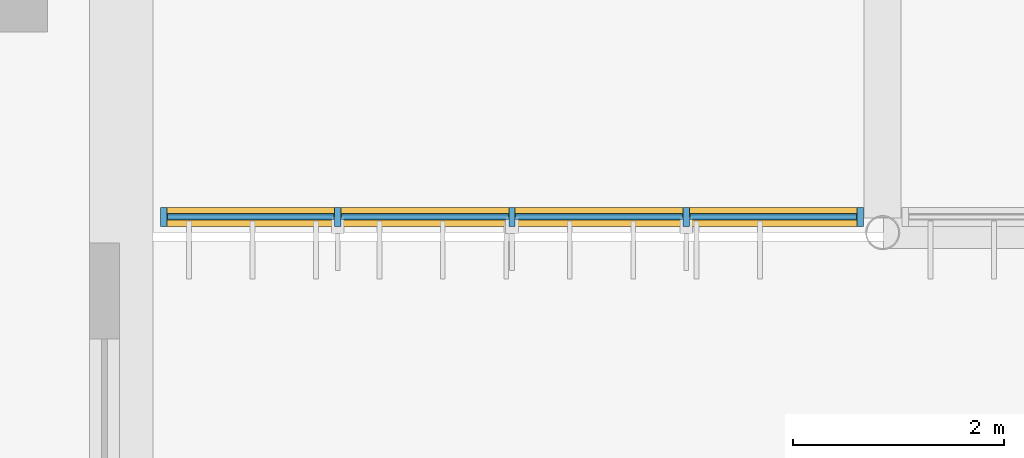
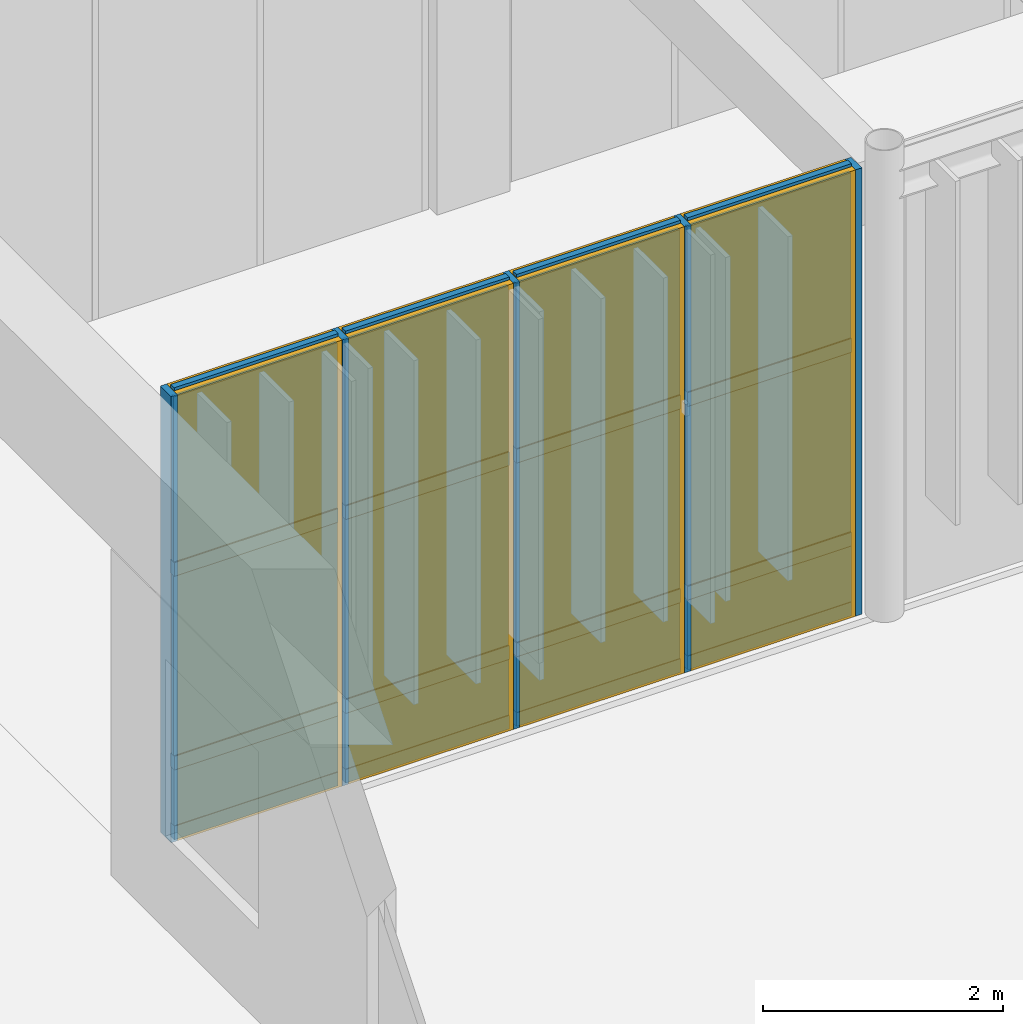
# One storey, part 86 of 122: 21 members, 12 plates, 1 curtain wall.
"""IFC4 building model written with IfcOpenShell, lengths in metres."""

from ifc_helpers import new_model, si_unit, direction, frame, frame_2d, origin, origin_2d, place, context, subcontext, project, spatial, rectangle, extrude, material, layer, layer_set, material_profile, profile_set, type_object, element, aggregate, save


model = new_model("IFC4")

# Units and contexts
model_context = context("Model", 3, precision=1e-05, world=origin(), true_north=direction((0.0, 1.0)))
body_context = subcontext(model_context, "Body", "Model", "MODEL_VIEW")
ifc_project = project(units=[si_unit("LENGTHUNIT", "METRE"), si_unit("AREAUNIT", "SQUARE_METRE"), si_unit("VOLUMEUNIT", "CUBIC_METRE"), si_unit("PLANEANGLEUNIT", "RADIAN"), si_unit("MASSUNIT", "GRAM", prefix="KILO")], contexts=[model_context])

# Member
ifc_material_1 = material(Name="Anodised Bronze Aluminium 6063-T6", Category="aluminium")
ifc_material_profile_1 = material_profile(ifc_material_1, rectangle(XDim=0.06005859375, YDim=0.179931640625, at=origin_2d()), Name="ALU MULLION 60x180")
ifc_profile_set_1 = profile_set([ifc_material_profile_1], Name="Anodised Bronze Aluminium 6063-T6")
member_type_1 = type_object("IfcMemberType", Name="Curtain-Wall Primary Mullion 60x180", PredefinedType="MULLION", material=ifc_profile_set_1)
site_placement = place(None, origin())
building_placement = place(site_placement, origin())
storey_placement = place(building_placement, origin())
member_1_placement = place(storey_placement, frame((95.800048828125, 44.75, 0.0), z_axis=(0.0, 0.0, 1.0), x_axis=(1.0, 0.0, 0.0)))
member_1 = element("IfcMember", 1, at=member_1_placement, type_object=member_type_1, Name="Mullion CWM-01 CW-ELNK-S-L00-B1-M01", PredefinedType="MULLION", context=body_context, shape_type="SweptSolid", body=[
    extrude(rectangle(XDim=0.06005859375, YDim=0.179931640625, at=origin_2d()), origin(), (0.0, 0.0, 1.0), 4.5400390625),
])

member_2_placement = place(storey_placement, frame((97.447021484375, 44.75, 0.0), z_axis=(0.0, 0.0, 1.0), x_axis=(1.0, 0.0, 0.0)))
member_2 = element("IfcMember", 2, at=member_2_placement, type_object=member_type_1, Name="Mullion CWM-01 CW-ELNK-S-L00-B1-M02", PredefinedType="MULLION", context=body_context, shape_type="SweptSolid", body=[
    extrude(rectangle(XDim=0.06005859375, YDim=0.179931640625, at=origin_2d()), origin(), (0.0, 0.0, 1.0), 4.5400390625),
])

member_3_placement = place(storey_placement, frame((99.093994140625, 44.75, 0.0), z_axis=(0.0, 0.0, 1.0), x_axis=(1.0, 0.0, 0.0)))
member_3 = element("IfcMember", 3, at=member_3_placement, type_object=member_type_1, Name="Mullion CWM-01 CW-ELNK-S-L00-B1-M03", PredefinedType="MULLION", context=body_context, shape_type="SweptSolid", body=[
    extrude(rectangle(XDim=0.06005859375, YDim=0.179931640625, at=origin_2d()), origin(), (0.0, 0.0, 1.0), 4.5400390625),
])

member_4_placement = place(storey_placement, frame((100.740966796875, 44.75, 0.0), z_axis=(0.0, 0.0, 1.0), x_axis=(1.0, 0.0, 0.0)))
member_4 = element("IfcMember", 4, at=member_4_placement, type_object=member_type_1, Name="Mullion CWM-01 CW-ELNK-S-L00-B1-M04", PredefinedType="MULLION", context=body_context, shape_type="SweptSolid", body=[
    extrude(rectangle(XDim=0.06005859375, YDim=0.179931640625, at=origin_2d()), origin(), (0.0, 0.0, 1.0), 4.5400390625),
])

member_5_placement = place(storey_placement, frame((102.387939453125, 44.75, 0.0), z_axis=(0.0, 0.0, 1.0), x_axis=(1.0, 0.0, 0.0)))
member_5 = element("IfcMember", 5, at=member_5_placement, type_object=member_type_1, Name="Mullion CWM-01 CW-ELNK-S-L00-B1-M05", PredefinedType="MULLION", context=body_context, shape_type="SweptSolid", body=[
    extrude(rectangle(XDim=0.06005859375, YDim=0.179931640625, at=origin_2d()), origin(), (0.0, 0.0, 1.0), 4.5400390625),
])

ifc_material_profile_2 = material_profile(ifc_material_1, rectangle(XDim=0.06005859375, YDim=0.139892578125, at=origin_2d()), Name="ALU TRANSOM 60x140")
ifc_profile_set_2 = profile_set([ifc_material_profile_2], Name="Anodised Bronze Aluminium 6063-T6")
member_type_2 = type_object("IfcMemberType", Name="Curtain-Wall Transom 60x140", PredefinedType="USERDEFINED", material=ifc_profile_set_2)
member_6_placement = place(storey_placement, frame((95.8349609375, 44.75, 0.0400390625), z_axis=(1.0, 0.0, 0.0), x_axis=(0.0, 1.0, 0.0)))
member_6 = element("IfcMember", 6, at=member_6_placement, type_object=member_type_2, Name="Transom CWT-01 CW-ELNK-S-L00-B1-T01.1", ObjectType="TRANSOM", PredefinedType="USERDEFINED", context=body_context, shape_type="SweptSolid", body=[
    extrude(rectangle(XDim=0.06005859375, YDim=0.139892578125, at=origin_2d()), origin(), (0.0, 0.0, 1.0), 1.5771484375),
])

member_7_placement = place(storey_placement, frame((95.8349609375, 44.75, 0.75), z_axis=(1.0, 0.0, 0.0), x_axis=(0.0, 1.0, 0.0)))
member_7 = element("IfcMember", 7, at=member_7_placement, type_object=member_type_2, Name="Transom CWT-01 CW-ELNK-S-L00-B1-T01.2", ObjectType="TRANSOM", PredefinedType="USERDEFINED", context=body_context, shape_type="SweptSolid", body=[
    extrude(rectangle(XDim=0.06005859375, YDim=0.139892578125, at=origin_2d()), origin(), (0.0, 0.0, 1.0), 1.5771484375),
])

member_8_placement = place(storey_placement, frame((95.8349609375, 44.75, 2.720703125), z_axis=(1.0, 0.0, 0.0), x_axis=(0.0, 1.0, 0.0)))
member_8 = element("IfcMember", 8, at=member_8_placement, type_object=member_type_2, Name="Transom CWT-01 CW-ELNK-S-L00-B1-T01.3", ObjectType="TRANSOM", PredefinedType="USERDEFINED", context=body_context, shape_type="SweptSolid", body=[
    extrude(rectangle(XDim=0.06005859375, YDim=0.139892578125, at=origin_2d()), origin(), (0.0, 0.0, 1.0), 1.5771484375),
])

member_9_placement = place(storey_placement, frame((95.8349609375, 44.75, 4.5), z_axis=(1.0, 0.0, 0.0), x_axis=(0.0, 1.0, 0.0)))
member_9 = element("IfcMember", 9, at=member_9_placement, type_object=member_type_2, Name="Transom CWT-01 CW-ELNK-S-L00-B1-T01.4", ObjectType="TRANSOM", PredefinedType="USERDEFINED", context=body_context, shape_type="SweptSolid", body=[
    extrude(rectangle(XDim=0.06005859375, YDim=0.139892578125, at=origin_2d()), origin(), (0.0, 0.0, 1.0), 1.5771484375),
])

member_10_placement = place(storey_placement, frame((97.48193359375, 44.75, 0.0400390625), z_axis=(1.0, 0.0, 0.0), x_axis=(0.0, 1.0, 0.0)))
member_10 = element("IfcMember", 10, at=member_10_placement, type_object=member_type_2, Name="Transom CWT-01 CW-ELNK-S-L00-B1-T02.1", ObjectType="TRANSOM", PredefinedType="USERDEFINED", context=body_context, shape_type="SweptSolid", body=[
    extrude(rectangle(XDim=0.06005859375, YDim=0.139892578125, at=origin_2d()), origin(), (0.0, 0.0, 1.0), 1.5771484375),
])

member_11_placement = place(storey_placement, frame((97.48193359375, 44.75, 0.75), z_axis=(1.0, 0.0, 0.0), x_axis=(0.0, 1.0, 0.0)))
member_11 = element("IfcMember", 11, at=member_11_placement, type_object=member_type_2, Name="Transom CWT-01 CW-ELNK-S-L00-B1-T02.2", ObjectType="TRANSOM", PredefinedType="USERDEFINED", context=body_context, shape_type="SweptSolid", body=[
    extrude(rectangle(XDim=0.06005859375, YDim=0.139892578125, at=origin_2d()), origin(), (0.0, 0.0, 1.0), 1.5771484375),
])

member_12_placement = place(storey_placement, frame((97.48193359375, 44.75, 2.720703125), z_axis=(1.0, 0.0, 0.0), x_axis=(0.0, 1.0, 0.0)))
member_12 = element("IfcMember", 12, at=member_12_placement, type_object=member_type_2, Name="Transom CWT-01 CW-ELNK-S-L00-B1-T02.3", ObjectType="TRANSOM", PredefinedType="USERDEFINED", context=body_context, shape_type="SweptSolid", body=[
    extrude(rectangle(XDim=0.06005859375, YDim=0.139892578125, at=origin_2d()), origin(), (0.0, 0.0, 1.0), 1.5771484375),
])

member_13_placement = place(storey_placement, frame((97.48193359375, 44.75, 4.5), z_axis=(1.0, 0.0, 0.0), x_axis=(0.0, 1.0, 0.0)))
member_13 = element("IfcMember", 13, at=member_13_placement, type_object=member_type_2, Name="Transom CWT-01 CW-ELNK-S-L00-B1-T02.4", ObjectType="TRANSOM", PredefinedType="USERDEFINED", context=body_context, shape_type="SweptSolid", body=[
    extrude(rectangle(XDim=0.06005859375, YDim=0.139892578125, at=origin_2d()), origin(), (0.0, 0.0, 1.0), 1.5771484375),
])

member_14_placement = place(storey_placement, frame((99.12890625, 44.75, 0.0400390625), z_axis=(1.0, 0.0, 0.0), x_axis=(0.0, 1.0, 0.0)))
member_14 = element("IfcMember", 14, at=member_14_placement, type_object=member_type_2, Name="Transom CWT-01 CW-ELNK-S-L00-B1-T03.1", ObjectType="TRANSOM", PredefinedType="USERDEFINED", context=body_context, shape_type="SweptSolid", body=[
    extrude(rectangle(XDim=0.06005859375, YDim=0.139892578125, at=origin_2d()), origin(), (0.0, 0.0, 1.0), 1.5771484375),
])

member_15_placement = place(storey_placement, frame((99.12890625, 44.75, 0.75), z_axis=(1.0, 0.0, 0.0), x_axis=(0.0, 1.0, 0.0)))
member_15 = element("IfcMember", 15, at=member_15_placement, type_object=member_type_2, Name="Transom CWT-01 CW-ELNK-S-L00-B1-T03.2", ObjectType="TRANSOM", PredefinedType="USERDEFINED", context=body_context, shape_type="SweptSolid", body=[
    extrude(rectangle(XDim=0.06005859375, YDim=0.139892578125, at=origin_2d()), origin(), (0.0, 0.0, 1.0), 1.5771484375),
])

member_16_placement = place(storey_placement, frame((99.12890625, 44.75, 2.720703125), z_axis=(1.0, 0.0, 0.0), x_axis=(0.0, 1.0, 0.0)))
member_16 = element("IfcMember", 16, at=member_16_placement, type_object=member_type_2, Name="Transom CWT-01 CW-ELNK-S-L00-B1-T03.3", ObjectType="TRANSOM", PredefinedType="USERDEFINED", context=body_context, shape_type="SweptSolid", body=[
    extrude(rectangle(XDim=0.06005859375, YDim=0.139892578125, at=origin_2d()), origin(), (0.0, 0.0, 1.0), 1.5771484375),
])

member_17_placement = place(storey_placement, frame((99.12890625, 44.75, 4.5), z_axis=(1.0, 0.0, 0.0), x_axis=(0.0, 1.0, 0.0)))
member_17 = element("IfcMember", 17, at=member_17_placement, type_object=member_type_2, Name="Transom CWT-01 CW-ELNK-S-L00-B1-T03.4", ObjectType="TRANSOM", PredefinedType="USERDEFINED", context=body_context, shape_type="SweptSolid", body=[
    extrude(rectangle(XDim=0.06005859375, YDim=0.139892578125, at=origin_2d()), origin(), (0.0, 0.0, 1.0), 1.5771484375),
])

member_18_placement = place(storey_placement, frame((100.77587890625, 44.75, 0.0400390625), z_axis=(1.0, 0.0, 0.0), x_axis=(0.0, 1.0, 0.0)))
member_18 = element("IfcMember", 18, at=member_18_placement, type_object=member_type_2, Name="Transom CWT-01 CW-ELNK-S-L00-B1-T04.1", ObjectType="TRANSOM", PredefinedType="USERDEFINED", context=body_context, shape_type="SweptSolid", body=[
    extrude(rectangle(XDim=0.06005859375, YDim=0.139892578125, at=origin_2d()), origin(), (0.0, 0.0, 1.0), 1.5771484375),
])

member_19_placement = place(storey_placement, frame((100.77587890625, 44.75, 0.75), z_axis=(1.0, 0.0, 0.0), x_axis=(0.0, 1.0, 0.0)))
member_19 = element("IfcMember", 19, at=member_19_placement, type_object=member_type_2, Name="Transom CWT-01 CW-ELNK-S-L00-B1-T04.2", ObjectType="TRANSOM", PredefinedType="USERDEFINED", context=body_context, shape_type="SweptSolid", body=[
    extrude(rectangle(XDim=0.06005859375, YDim=0.139892578125, at=origin_2d()), origin(), (0.0, 0.0, 1.0), 1.5771484375),
])

member_20_placement = place(storey_placement, frame((100.77587890625, 44.75, 2.720703125), z_axis=(1.0, 0.0, 0.0), x_axis=(0.0, 1.0, 0.0)))
member_20 = element("IfcMember", 20, at=member_20_placement, type_object=member_type_2, Name="Transom CWT-01 CW-ELNK-S-L00-B1-T04.3", ObjectType="TRANSOM", PredefinedType="USERDEFINED", context=body_context, shape_type="SweptSolid", body=[
    extrude(rectangle(XDim=0.06005859375, YDim=0.139892578125, at=origin_2d()), origin(), (0.0, 0.0, 1.0), 1.5771484375),
])

member_21_placement = place(storey_placement, frame((100.77587890625, 44.75, 4.5), z_axis=(1.0, 0.0, 0.0), x_axis=(0.0, 1.0, 0.0)))
member_21 = element("IfcMember", 21, at=member_21_placement, type_object=member_type_2, Name="Transom CWT-01 CW-ELNK-S-L00-B1-T04.4", ObjectType="TRANSOM", PredefinedType="USERDEFINED", context=body_context, shape_type="SweptSolid", body=[
    extrude(rectangle(XDim=0.06005859375, YDim=0.139892578125, at=origin_2d()), origin(), (0.0, 0.0, 1.0), 1.5771484375),
])

# Plate
ifc_material_2 = material(Name="Insulated Bronze Aluminium Spandrel Panel", Category="aluminium")
ifc_layer_1 = layer(ifc_material_2, 0.050048828125, Name="Insulated Bronze Aluminium Spandrel Panel")
ifc_layer_set_1 = layer_set([ifc_layer_1], Name="Insulated Bronze Aluminium Spandrel Panel")
plate_type_1 = type_object("IfcPlateType", Name="Insulated Anodised Aluminium Spandrel Cassette 50", PredefinedType="CURTAIN_PANEL", material=ifc_layer_set_1)
plate_1_placement = place(storey_placement, frame((96.62353515625, 44.75, 0.070068359375), z_axis=(0.0, 0.0, 1.0), x_axis=(1.0, 0.0, 0.0)))
plate_1 = element("IfcPlate", 22, at=plate_1_placement, type_object=plate_type_1, Name="Curtain Panel CWP-03 CW-ELNK-S-L00-B1-P01.1", PredefinedType="CURTAIN_PANEL", context=body_context, shape_type="SweptSolid", body=[
    extrude(rectangle(XDim=1.576904296875, YDim=0.050048828125, at=origin_2d()), origin(), (0.0, 0.0, 1.0), 0.64990234375),
])

plate_2_placement = place(storey_placement, frame((98.2705078125, 44.75, 0.070068359375), z_axis=(0.0, 0.0, 1.0), x_axis=(1.0, 0.0, 0.0)))
plate_2 = element("IfcPlate", 23, at=plate_2_placement, type_object=plate_type_1, Name="Curtain Panel CWP-03 CW-ELNK-S-L00-B1-P02.1", PredefinedType="CURTAIN_PANEL", context=body_context, shape_type="SweptSolid", body=[
    extrude(rectangle(XDim=1.576904296875, YDim=0.050048828125, at=origin_2d()), origin(), (0.0, 0.0, 1.0), 0.64990234375),
])

plate_3_placement = place(storey_placement, frame((99.91748046875, 44.75, 0.070068359375), z_axis=(0.0, 0.0, 1.0), x_axis=(1.0, 0.0, 0.0)))
plate_3 = element("IfcPlate", 24, at=plate_3_placement, type_object=plate_type_1, Name="Curtain Panel CWP-03 CW-ELNK-S-L00-B1-P03.1", PredefinedType="CURTAIN_PANEL", context=body_context, shape_type="SweptSolid", body=[
    extrude(rectangle(XDim=1.576904296875, YDim=0.050048828125, at=origin_2d()), origin(), (0.0, 0.0, 1.0), 0.64990234375),
])

plate_4_placement = place(storey_placement, frame((101.564453125, 44.75, 0.070068359375), z_axis=(0.0, 0.0, 1.0), x_axis=(1.0, 0.0, 0.0)))
plate_4 = element("IfcPlate", 25, at=plate_4_placement, type_object=plate_type_1, Name="Curtain Panel CWP-03 CW-ELNK-S-L00-B1-P04.1", PredefinedType="CURTAIN_PANEL", context=body_context, shape_type="SweptSolid", body=[
    extrude(rectangle(XDim=1.576904296875, YDim=0.050048828125, at=origin_2d()), origin(), (0.0, 0.0, 1.0), 0.64990234375),
])

ifc_material_3 = material(Name="Solar-Control Tempered Double Glazing", Category="glass")
ifc_layer_2 = layer(ifc_material_3, 0.0380859375, Name="Solar-Control Tempered Double Glazing")
ifc_layer_set_2 = layer_set([ifc_layer_2], Name="Solar-Control Tempered Double Glazing")
plate_type_2 = type_object("IfcPlateType", Name="Solar-Control Vision Glazing Unit 38", PredefinedType="CURTAIN_PANEL", material=ifc_layer_set_2)
plate_5_placement = place(storey_placement, frame((96.62353515625, 44.75, 0.77978515625), z_axis=(0.0, 0.0, 1.0), x_axis=(1.0, 0.0, 0.0)))
plate_5 = element("IfcPlate", 26, at=plate_5_placement, type_object=plate_type_2, Name="Curtain Panel CWP-02 CW-ELNK-S-L00-B1-P01.2", PredefinedType="CURTAIN_PANEL", context=body_context, shape_type="SweptSolid", body=[
    extrude(rectangle(XDim=1.576904296875, YDim=0.0380859375, at=origin_2d()), origin(), (0.0, 0.0, 1.0), 1.910888671875),
])

plate_6_placement = place(storey_placement, frame((96.62353515625, 44.75, 2.750732421875), z_axis=(0.0, 0.0, 1.0), x_axis=(1.0, 0.0, 0.0)))
plate_6 = element("IfcPlate", 27, at=plate_6_placement, type_object=plate_type_2, Name="Curtain Panel CWP-02 CW-ELNK-S-L00-B1-P01.3", PredefinedType="CURTAIN_PANEL", context=body_context, shape_type="SweptSolid", body=[
    extrude(rectangle(XDim=1.576904296875, YDim=0.0380859375, at=origin_2d()), origin(), (0.0, 0.0, 1.0), 1.71923828125),
])

plate_7_placement = place(storey_placement, frame((98.2705078125, 44.75, 0.77978515625), z_axis=(0.0, 0.0, 1.0), x_axis=(1.0, 0.0, 0.0)))
plate_7 = element("IfcPlate", 28, at=plate_7_placement, type_object=plate_type_2, Name="Curtain Panel CWP-02 CW-ELNK-S-L00-B1-P02.2", PredefinedType="CURTAIN_PANEL", context=body_context, shape_type="SweptSolid", body=[
    extrude(rectangle(XDim=1.576904296875, YDim=0.0380859375, at=origin_2d()), origin(), (0.0, 0.0, 1.0), 1.910888671875),
])

plate_8_placement = place(storey_placement, frame((98.2705078125, 44.75, 2.750732421875), z_axis=(0.0, 0.0, 1.0), x_axis=(1.0, 0.0, 0.0)))
plate_8 = element("IfcPlate", 29, at=plate_8_placement, type_object=plate_type_2, Name="Curtain Panel CWP-02 CW-ELNK-S-L00-B1-P02.3", PredefinedType="CURTAIN_PANEL", context=body_context, shape_type="SweptSolid", body=[
    extrude(rectangle(XDim=1.576904296875, YDim=0.0380859375, at=origin_2d()), origin(), (0.0, 0.0, 1.0), 1.71923828125),
])

plate_9_placement = place(storey_placement, frame((99.91748046875, 44.75, 0.77978515625), z_axis=(0.0, 0.0, 1.0), x_axis=(1.0, 0.0, 0.0)))
plate_9 = element("IfcPlate", 30, at=plate_9_placement, type_object=plate_type_2, Name="Curtain Panel CWP-02 CW-ELNK-S-L00-B1-P03.2", PredefinedType="CURTAIN_PANEL", context=body_context, shape_type="SweptSolid", body=[
    extrude(rectangle(XDim=1.576904296875, YDim=0.0380859375, at=origin_2d()), origin(), (0.0, 0.0, 1.0), 1.910888671875),
])

plate_10_placement = place(storey_placement, frame((99.91748046875, 44.75, 2.750732421875), z_axis=(0.0, 0.0, 1.0), x_axis=(1.0, 0.0, 0.0)))
plate_10 = element("IfcPlate", 31, at=plate_10_placement, type_object=plate_type_2, Name="Curtain Panel CWP-02 CW-ELNK-S-L00-B1-P03.3", PredefinedType="CURTAIN_PANEL", context=body_context, shape_type="SweptSolid", body=[
    extrude(rectangle(XDim=1.576904296875, YDim=0.0380859375, at=origin_2d()), origin(), (0.0, 0.0, 1.0), 1.71923828125),
])

plate_11_placement = place(storey_placement, frame((101.564453125, 44.75, 0.77978515625), z_axis=(0.0, 0.0, 1.0), x_axis=(1.0, 0.0, 0.0)))
plate_11 = element("IfcPlate", 32, at=plate_11_placement, type_object=plate_type_2, Name="Curtain Panel CWP-02 CW-ELNK-S-L00-B1-P04.2", PredefinedType="CURTAIN_PANEL", context=body_context, shape_type="SweptSolid", body=[
    extrude(rectangle(XDim=1.576904296875, YDim=0.0380859375, at=origin_2d()), origin(), (0.0, 0.0, 1.0), 1.910888671875),
])

plate_12_placement = place(storey_placement, frame((101.564453125, 44.75, 2.750732421875), z_axis=(0.0, 0.0, 1.0), x_axis=(1.0, 0.0, 0.0)))
plate_12 = element("IfcPlate", 33, at=plate_12_placement, type_object=plate_type_2, Name="Curtain Panel CWP-02 CW-ELNK-S-L00-B1-P04.3", PredefinedType="CURTAIN_PANEL", context=body_context, shape_type="SweptSolid", body=[
    extrude(rectangle(XDim=1.576904296875, YDim=0.0380859375, at=origin_2d()), origin(), (0.0, 0.0, 1.0), 1.71923828125),
])

# Site, building, storey
site = spatial("IfcSite", under=ifc_project, at=site_placement, CompositionType="ELEMENT")
building = spatial("IfcBuilding", under=site, at=building_placement, Name="Tazoul Stagehouse", CompositionType="ELEMENT")
storey = spatial("IfcBuildingStorey", under=building, at=storey_placement, Name="L00", CompositionType="ELEMENT", Elevation=0.0)

# Curtain wall
curtain_wall_type = type_object("IfcCurtainWallType", Name="Foyer Clear Solar-Control Curtain Wall", PredefinedType="NOTDEFINED", material=ifc_material_1)
curtain_wall_placement = place(storey_placement, frame((95.800048828125, 44.75, 0.0), z_axis=(0.0, 0.0, 1.0), x_axis=(1.0, 0.0, 0.0)))
curtain_wall = element("IfcCurtainWall", 34, at=curtain_wall_placement, inside=storey, type_object=curtain_wall_type, Name="L00 Curtain Wall CW-02 (CW-ELNK-S-L00-B1)", PredefinedType="NOTDEFINED", context=body_context, shape_type="SweptSolid", body=[
    extrude(rectangle(XDim=6.587890625, YDim=0.179931640625, at=frame_2d((3.2939453125, 0.0))), origin(), (0.0, 0.0, 1.0), 4.5400390625),
])

aggregate(curtain_wall, [member_1, member_2, member_3, member_4, member_5, member_6, member_7, member_8, member_9, plate_1, plate_5, plate_6, member_10, member_11, member_12, member_13, plate_2, plate_7, plate_8, member_14, member_15, member_16, member_17, plate_3, plate_9, plate_10, member_18, member_19, member_20, member_21, plate_4, plate_11, plate_12])

save(model, "model.ifc")
